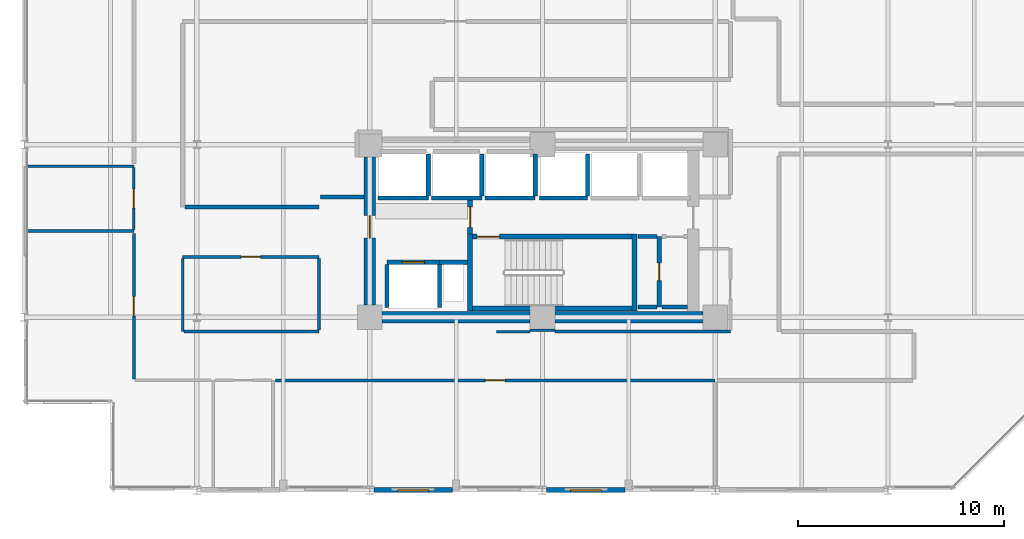
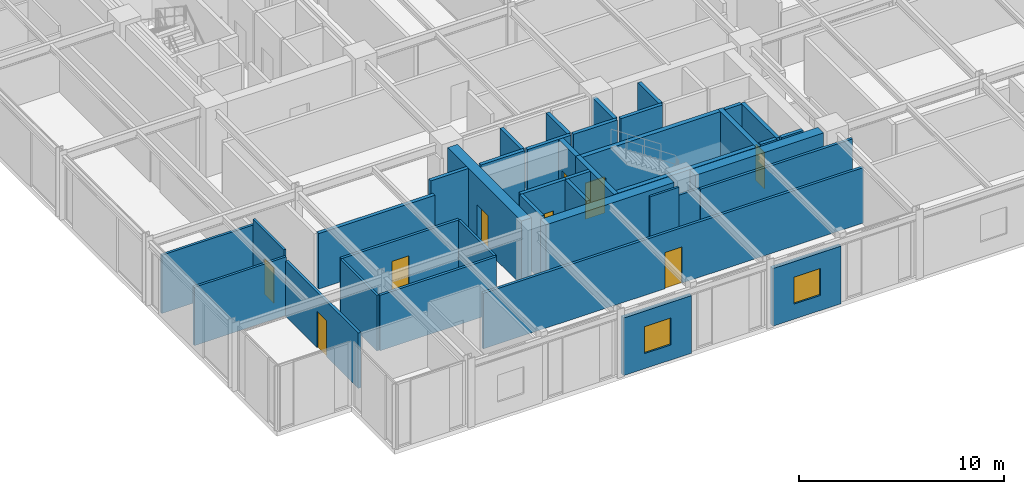
# One storey, part 32 of 38: 40 walls, 9 doors, 2 windows, 11 openings.
"""IFC4 building model written with IfcOpenShell, lengths in metres."""

from ifc_helpers import new_model, si_unit, direction, frame, frame_2d, origin, place, context, subcontext, project, spatial, rectangle, extrude, material, layer, layer_set, type_object, element, fill, save


model = new_model("IFC4")

# Units and contexts
model_context = context("Model", 3, precision=1e-05, world=origin(), true_north=direction((0.0, 1.0)))
body_context = subcontext(model_context, "Body", "Model", "MODEL_VIEW")
ifc_project = project(units=[si_unit("LENGTHUNIT", "METRE"), si_unit("AREAUNIT", "SQUARE_METRE"), si_unit("VOLUMEUNIT", "CUBIC_METRE"), si_unit("PLANEANGLEUNIT", "RADIAN"), si_unit("MASSUNIT", "GRAM", prefix="KILO")], contexts=[model_context])

# Site, building, storey
site_placement = place(None, origin())
site = spatial("IfcSite", under=ifc_project, at=site_placement, CompositionType="ELEMENT")
building_placement = place(site_placement, origin())
building = spatial("IfcBuilding", under=site, at=building_placement, Name="Nerrivon Quay Data Exchange", CompositionType="ELEMENT")
storey_placement = place(building_placement, frame((0.0, 0.0, 100.800048828125)))
storey = spatial("IfcBuildingStorey", under=building, at=storey_placement, Name="L23", CompositionType="ELEMENT", Elevation=100.800048828125)

# Wall, opening, window
ifc_material_1 = material(Name="Architectural terracotta precast concrete N50 (50 MPa)", Category="masonry")
ifc_layer_1 = layer(ifc_material_1, 0.239990234375)
ifc_layer_set_1 = layer_set([ifc_layer_1], Name="Architectural terracotta precast concrete N50 (50 MPa)")
wall_type_1 = type_object("IfcWallType", Name="EW-PREC-240", PredefinedType="STANDARD", material=ifc_layer_set_1)
wall_1_placement = place(storey_placement, frame((29.22509765625, 0.0, 0.0), z_axis=(0.0, 0.0, 1.0), x_axis=(-1.0, 0.0, 0.0)))
wall_1 = element("IfcWall", 1, at=wall_1_placement, inside=storey, type_object=wall_type_1, Name="L23 Podium Precast Spandrel Wall 9", PredefinedType="STANDARD", context=body_context, shape_type="SweptSolid", body=[
    extrude(rectangle(XDim=3.8251953125, YDim=0.239990234375, at=frame_2d((1.91259765625, 0.0))), origin(), (0.0, 0.0, 1.0), 3.421875),
])
opening_1_placement = place(wall_1_placement, frame((1.16259765625, 0.0, 0.89990234375)))
opening_1 = element("IfcOpeningElement", 2, at=opening_1_placement, cuts=wall_1, Name="Opening WN4", PredefinedType="OPENING", context=body_context, shape_type="SweptSolid", body=[
    extrude(rectangle(XDim=1.5, YDim=1.60009765625, at=frame_2d((0.75, 0.800048828125))), frame((0.0, 0.1298828125, 0.0), z_axis=(0.0, -1.0, 0.0), x_axis=(1.0, 0.0, 0.0)), (0.0, 0.0, 1.0), 0.260009765625),
])
ifc_material_2 = material(Name="Double-glazed low-E solar control glass", Category="glass")
window_type = type_object("IfcWindowType", Name="WIN-W4-1500x1600", PartitioningType="SINGLE_PANEL", PredefinedType="WINDOW", material=ifc_material_2)
window_1_placement = place(opening_1_placement, origin())
window_1 = element("IfcWindow", 3, at=window_1_placement, inside=storey, type_object=window_type, Name="L23 Solar Facade Window 9", OverallHeight=1.60009765625, OverallWidth=1.5, PartitioningType="SINGLE_PANEL", PredefinedType="WINDOW", context=body_context, shape_type="SweptSolid", body=[
    extrude(rectangle(XDim=1.5, YDim=1.60009765625, at=frame_2d((0.75, 0.800048828125))), frame((0.0, 0.030029296875, 0.0), z_axis=(0.0, -1.0, 0.0), x_axis=(1.0, 0.0, 0.0)), (0.0, 0.0, 1.0), 0.06005859375),
])
fill(opening_1, window_1)

wall_2_placement = place(storey_placement, frame((20.824951171875, 0.0, 0.0), z_axis=(0.0, 0.0, 1.0), x_axis=(-1.0, 0.0, 0.0)))
wall_2 = element("IfcWall", 4, at=wall_2_placement, inside=storey, type_object=wall_type_1, Name="L23 Podium Precast Spandrel Wall 11", PredefinedType="STANDARD", context=body_context, shape_type="SweptSolid", body=[
    extrude(rectangle(XDim=3.824951171875, YDim=0.239990234375, at=frame_2d((1.91259765625, 0.0))), origin(), (0.0, 0.0, 1.0), 3.421875),
])
opening_2_placement = place(wall_2_placement, frame((1.16259765625, 0.0, 0.89990234375)))
opening_2 = element("IfcOpeningElement", 5, at=opening_2_placement, cuts=wall_2, Name="Opening WN4", PredefinedType="OPENING", context=body_context, shape_type="SweptSolid", body=[
    extrude(rectangle(XDim=1.5, YDim=1.60009765625, at=frame_2d((0.75, 0.800048828125))), frame((0.0, 0.1298828125, 0.0), z_axis=(0.0, -1.0, 0.0), x_axis=(1.0, 0.0, 0.0)), (0.0, 0.0, 1.0), 0.260009765625),
])
window_2_placement = place(opening_2_placement, origin())
window_2 = element("IfcWindow", 6, at=window_2_placement, inside=storey, type_object=window_type, Name="L23 Solar Facade Window 11", OverallHeight=1.60009765625, OverallWidth=1.5, PartitioningType="SINGLE_PANEL", PredefinedType="WINDOW", context=body_context, shape_type="SweptSolid", body=[
    extrude(rectangle(XDim=1.5, YDim=1.60009765625, at=frame_2d((0.75, 0.800048828125))), frame((0.0, 0.030029296875, 0.0), z_axis=(0.0, -1.0, 0.0), x_axis=(1.0, 0.0, 0.0)), (0.0, 0.0, 1.0), 0.06005859375),
])
fill(opening_2, window_2)

# Walls
ifc_material_3 = material(Name="Concrete S65 (65 MPa)", Category="concrete")
ifc_layer_2 = layer(ifc_material_3, 0.550048828125)
ifc_layer_set_2 = layer_set([ifc_layer_2], Name="Concrete S65 (65 MPa)")
wall_type_2 = type_object("IfcWallType", Name="WALL-CW-700", PredefinedType="SHEAR", material=ifc_layer_set_2)
wall_3_placement = place(storey_placement, frame((17.39990234375, 8.39990234375, 0.0), z_axis=(0.0, 0.0, 1.0), x_axis=(1.0, 0.0, 0.0)))
element("IfcWall", 7, at=wall_3_placement, inside=storey, type_object=wall_type_2, Name="L23 East Split-Core Shear Wall ECW-S1", PredefinedType="SHEAR", context=body_context, shape_type="SweptSolid", body=[
    extrude(rectangle(XDim=7.2001953125, YDim=0.550048828125, at=frame_2d((3.60009765625, 0.0))), origin(), (0.0, 0.0, 1.0), 3.824951171875),
])
wall_4_placement = place(storey_placement, frame((25.800048828125, 8.39990234375, 0.0), z_axis=(0.0, 0.0, 1.0), x_axis=(1.0, 0.0, 0.0)))
element("IfcWall", 8, at=wall_4_placement, inside=storey, type_object=wall_type_2, Name="L23 East Split-Core Shear Wall ECW-S2", PredefinedType="SHEAR", context=body_context, shape_type="SweptSolid", body=[
    extrude(rectangle(XDim=7.199951171875, YDim=0.550048828125, at=frame_2d((3.60009765625, 0.0))), origin(), (0.0, 0.0, 1.0), 3.824951171875),
])

# Wall, opening, door
wall_5_placement = place(storey_placement, frame((16.800048828125, 9.0, 0.0), z_axis=(0.0, 0.0, 1.0), x_axis=(0.0, 1.0, 0.0)))
wall_5 = element("IfcWall", 9, at=wall_5_placement, inside=storey, type_object=wall_type_2, Name="L23 East Split-Core Shear Wall ECW-W1", PredefinedType="SHEAR", context=body_context, shape_type="SweptSolid", body=[
    extrude(rectangle(XDim=7.199951171875, YDim=0.550048828125, at=frame_2d((3.60009765625, 0.0))), origin(), (0.0, 0.0, 1.0), 3.824951171875),
])
opening_3_placement = place(wall_5_placement, frame((3.25, 0.0, 0.0)))
opening_3 = element("IfcOpeningElement", 10, at=opening_3_placement, cuts=wall_5, Name="Opening FD-120", PredefinedType="OPENING", context=body_context, shape_type="SweptSolid", body=[
    extrude(rectangle(XDim=1.10009765625, YDim=2.14990234375, at=frame_2d((0.550048828125, 1.074951171875))), frame((0.0, 0.284912109375, 0.0), z_axis=(0.0, -1.0, 0.0), x_axis=(1.0, 0.0, 0.0)), (0.0, 0.0, 1.0), 0.570068359375),
])
ifc_material_4 = material(Name="Powder-coated galvanized steel sheet", Category="steel")
door_type_1 = type_object("IfcDoorType", Name="DR-FD120-1100", OperationType="NOTDEFINED", PredefinedType="DOOR", material=ifc_material_4)
door_1_placement = place(opening_3_placement, origin())
door_1 = element("IfcDoor", 11, at=door_1_placement, inside=storey, type_object=door_type_1, Name="L23 East Core Lobby Fire Door", OperationType="SINGLE_SWING_RIGHT", OverallHeight=2.14990234375, OverallWidth=1.10009765625, PredefinedType="DOOR", context=body_context, shape_type="SweptSolid", body=[
    extrude(rectangle(XDim=1.10009765625, YDim=2.14990234375, at=frame_2d((0.550048828125, 1.074951171875))), frame((0.0, 0.02490234375, 0.0), z_axis=(0.0, -1.0, 0.0), x_axis=(1.0, 0.0, 0.0)), (0.0, 0.0, 1.0), 0.050048828125),
])
fill(opening_3, door_1)

# Wall
ifc_material_5 = material(Name="Gypsum plasterboard on cold-formed framing", Category="gypsum")
ifc_layer_3 = layer(ifc_material_5, 0.199951171875)
ifc_layer_set_3 = layer_set([ifc_layer_3], Name="Gypsum plasterboard on cold-formed framing")
wall_type_3 = type_object("IfcWallType", Name="WALL-FW-200", PredefinedType="PARTITIONING", material=ifc_layer_set_3)
wall_6_placement = place(storey_placement, frame((20.199951171875, 11.080078125, 0.0), z_axis=(0.0, 0.0, 1.0), x_axis=(1.0, 0.0, 0.0)))
element("IfcWall", 12, at=wall_6_placement, inside=storey, type_object=wall_type_3, Name="L23 East Core MEP Riser Shaft Wall N", PredefinedType="PARTITIONING", context=body_context, shape_type="SweptSolid", body=[
    extrude(rectangle(XDim=1.35009765625, YDim=0.199951171875, at=frame_2d((0.675048828125, 0.0))), origin(), (0.0, 0.0, 1.0), 3.824951171875),
])

# Wall, opening, door
wall_7_placement = place(storey_placement, frame((17.64990234375, 11.080078125, 0.0), z_axis=(0.0, 0.0, 1.0), x_axis=(1.0, 0.0, 0.0)))
wall_7 = element("IfcWall", 13, at=wall_7_placement, inside=storey, type_object=wall_type_3, Name="L23 Lift Front Wall FFL-2", PredefinedType="PARTITIONING", context=body_context, shape_type="SweptSolid", body=[
    extrude(rectangle(XDim=2.550048828125, YDim=0.199951171875, at=frame_2d((1.27490234375, 0.0))), origin(), (0.0, 0.0, 1.0), 3.824951171875),
])
opening_4_placement = place(wall_7_placement, frame((0.72509765625, 0.0, 0.0)))
opening_4 = element("IfcOpeningElement", 14, at=opening_4_placement, cuts=wall_7, Name="Opening LD-120", PredefinedType="OPENING", context=body_context, shape_type="SweptSolid", body=[
    extrude(rectangle(XDim=1.10009765625, YDim=2.199951171875, at=frame_2d((0.550048828125, 1.10009765625))), frame((0.0, 0.10986328125, 0.0), z_axis=(0.0, -1.0, 0.0), x_axis=(1.0, 0.0, 0.0)), (0.0, 0.0, 1.0), 0.219970703125),
])
door_type_2 = type_object("IfcDoorType", Name="DR-LIFT-LD120", OperationType="DOUBLE_DOOR_SLIDING", PredefinedType="DOOR", material=ifc_material_4)
door_2_placement = place(opening_4_placement, origin())
door_2 = element("IfcDoor", 15, at=door_2_placement, inside=storey, type_object=door_type_2, Name="L23 Lift Landing Sliding Door FFL-2", OperationType="DOUBLE_DOOR_SLIDING", OverallHeight=2.199951171875, OverallWidth=1.10009765625, PredefinedType="DOOR", context=body_context, shape_type="SweptSolid", body=[
    extrude(rectangle(XDim=1.10009765625, YDim=2.199951171875, at=frame_2d((0.550048828125, 1.10009765625))), frame((0.0, 0.02490234375, 0.0), z_axis=(0.0, -1.0, 0.0), x_axis=(1.0, 0.0, 0.0)), (0.0, 0.0, 1.0), 0.050048828125),
])
fill(opening_4, door_2)

# Walls
for number, where, z_axis, x_axis, name in (
    (16, (20.199951171875, 8.8798828125, 0.0), (0.0, 0.0, 1.0), (0.0, 1.0, 0.0), "L23 Lift Shaft Wall FFL-2 EAST"),
    (17, (17.64990234375, 8.8798828125, 0.0), (0.0, 0.0, 1.0), (0.0, 1.0, 0.0), "L23 Lift Shaft Wall FFL-2 WEST"),
):
    element("IfcWall", number, at=place(storey_placement, frame(where, z_axis=z_axis, x_axis=x_axis)), inside=storey, type_object=wall_type_3, Name=name, PredefinedType="PARTITIONING", context=body_context, shape_type="SweptSolid", body=[
        extrude(rectangle(XDim=2.10009765625, YDim=0.199951171875, at=frame_2d((1.050048828125, 0.0))), origin(), (0.0, 0.0, 1.0), 3.824951171875),
    ])
wall_8_placement = place(storey_placement, frame((17.199951171875, 14.199951171875, 0.0), z_axis=(0.0, 0.0, 1.0), x_axis=(1.0, 0.0, 0.0)))
element("IfcWall", 18, at=wall_8_placement, inside=storey, type_object=wall_type_3, Name="L23 Lift Front Wall PL4", PredefinedType="PARTITIONING", context=body_context, shape_type="SweptSolid", body=[
    extrude(rectangle(XDim=2.449951171875, YDim=0.199951171875, at=frame_2d((1.22509765625, 0.0))), origin(), (0.0, 0.0, 1.0), 3.824951171875),
])
wall_9_placement = place(storey_placement, frame((19.64990234375, 14.300048828125, 0.0), z_axis=(0.0, 0.0, 1.0), x_axis=(0.0, 1.0, 0.0)))
element("IfcWall", 19, at=wall_9_placement, inside=storey, type_object=wall_type_3, Name="L23 Lift Shaft Wall PL4 EAST", PredefinedType="PARTITIONING", context=body_context, shape_type="SweptSolid", body=[
    extrude(rectangle(XDim=2.050048828125, YDim=0.199951171875, at=frame_2d((1.02490234375, 0.0))), origin(), (0.0, 0.0, 1.0), 3.824951171875),
])
wall_10_placement = place(storey_placement, frame((19.800048828125, 14.199951171875, 0.0), z_axis=(0.0, 0.0, 1.0), x_axis=(1.0, 0.0, 0.0)))
element("IfcWall", 20, at=wall_10_placement, inside=storey, type_object=wall_type_3, Name="L23 Lift Front Wall PL5", PredefinedType="PARTITIONING", context=body_context, shape_type="SweptSolid", body=[
    extrude(rectangle(XDim=2.449951171875, YDim=0.199951171875, at=frame_2d((1.22509765625, 0.0))), origin(), (0.0, 0.0, 1.0), 3.824951171875),
])
wall_11_placement = place(storey_placement, frame((22.25, 14.300048828125, 0.0), z_axis=(0.0, 0.0, 1.0), x_axis=(0.0, 1.0, 0.0)))
element("IfcWall", 21, at=wall_11_placement, inside=storey, type_object=wall_type_3, Name="L23 Lift Shaft Wall PL5 EAST", PredefinedType="PARTITIONING", context=body_context, shape_type="SweptSolid", body=[
    extrude(rectangle(XDim=2.050048828125, YDim=0.199951171875, at=frame_2d((1.02490234375, 0.0))), origin(), (0.0, 0.0, 1.0), 3.824951171875),
])
wall_12_placement = place(storey_placement, frame((22.39990234375, 14.199951171875, 0.0), z_axis=(0.0, 0.0, 1.0), x_axis=(1.0, 0.0, 0.0)))
element("IfcWall", 22, at=wall_12_placement, inside=storey, type_object=wall_type_3, Name="L23 Lift Front Wall PL6", PredefinedType="PARTITIONING", context=body_context, shape_type="SweptSolid", body=[
    extrude(rectangle(XDim=2.4501953125, YDim=0.199951171875, at=frame_2d((1.22509765625, 0.0))), origin(), (0.0, 0.0, 1.0), 3.824951171875),
])
wall_13_placement = place(storey_placement, frame((24.85009765625, 14.300048828125, 0.0), z_axis=(0.0, 0.0, 1.0), x_axis=(0.0, 1.0, 0.0)))
element("IfcWall", 23, at=wall_13_placement, inside=storey, type_object=wall_type_3, Name="L23 Lift Shaft Wall PL6 EAST", PredefinedType="PARTITIONING", context=body_context, shape_type="SweptSolid", body=[
    extrude(rectangle(XDim=2.050048828125, YDim=0.199951171875, at=frame_2d((1.02490234375, 0.0))), origin(), (0.0, 0.0, 1.0), 3.824951171875),
])
wall_14_placement = place(storey_placement, frame((25.050048828125, 14.199951171875, 0.0), z_axis=(0.0, 0.0, 1.0), x_axis=(1.0, 0.0, 0.0)))
element("IfcWall", 24, at=wall_14_placement, inside=storey, type_object=wall_type_3, Name="L23 Lift Front Wall PL7", PredefinedType="PARTITIONING", context=body_context, shape_type="SweptSolid", body=[
    extrude(rectangle(XDim=2.349853515625, YDim=0.199951171875, at=frame_2d((1.1748046875, 0.0))), origin(), (0.0, 0.0, 1.0), 3.824951171875),
])
wall_15_placement = place(storey_placement, frame((27.39990234375, 14.300048828125, 0.0), z_axis=(0.0, 0.0, 1.0), x_axis=(0.0, 1.0, 0.0)))
element("IfcWall", 25, at=wall_15_placement, inside=storey, type_object=wall_type_3, Name="L23 Lift Shaft Wall PL7 EAST", PredefinedType="PARTITIONING", context=body_context, shape_type="SweptSolid", body=[
    extrude(rectangle(XDim=2.050048828125, YDim=0.199951171875, at=frame_2d((1.02490234375, 0.0))), origin(), (0.0, 0.0, 1.0), 3.824951171875),
])

# Wall, opening, door
wall_16_placement = place(storey_placement, frame((30.8798828125, 8.89990234375, 0.0), z_axis=(0.0, 0.0, 1.0), x_axis=(0.0, 1.0, 0.0)))
wall_16 = element("IfcWall", 26, at=wall_16_placement, inside=storey, type_object=wall_type_3, Name="L23 Partition East Electrical Closet", PredefinedType="PARTITIONING", context=body_context, shape_type="SweptSolid", body=[
    extrude(rectangle(XDim=3.43017578125, YDim=0.199951171875, at=frame_2d((1.715087890625, 0.0))), origin(), (0.0, 0.0, 1.0), 3.824951171875),
])
opening_5_placement = place(wall_16_placement, frame((1.2900390625, 0.0, 0.0)))
opening_5 = element("IfcOpeningElement", 27, at=opening_5_placement, cuts=wall_16, Name="Opening FD-60S", PredefinedType="OPENING", context=body_context, shape_type="SweptSolid", body=[
    extrude(rectangle(XDim=0.85009765625, YDim=2.14990234375, at=frame_2d((0.425048828125, 1.074951171875))), frame((0.0, 0.10986328125, 0.0), z_axis=(0.0, -1.0, 0.0), x_axis=(1.0, 0.0, 0.0)), (0.0, 0.0, 1.0), 0.219970703125),
])
ifc_material_6 = material(Name="Engineered hardwood timber", Category="wood")
door_type_3 = type_object("IfcDoorType", Name="DR-FD60-850", OperationType="NOTDEFINED", PredefinedType="DOOR", material=ifc_material_6)
door_3_placement = place(opening_5_placement, origin())
door_3 = element("IfcDoor", 28, at=door_3_placement, inside=storey, type_object=door_type_3, Name="L23 Door East Electrical Closet", OperationType="SINGLE_SWING_LEFT", OverallHeight=2.14990234375, OverallWidth=0.85009765625, PredefinedType="DOOR", context=body_context, shape_type="SweptSolid", body=[
    extrude(rectangle(XDim=0.85009765625, YDim=2.14990234375, at=frame_2d((0.425048828125, 1.074951171875))), frame((0.0, 0.02490234375, 0.0), z_axis=(0.0, -1.0, 0.0), x_axis=(1.0, 0.0, 0.0)), (0.0, 0.0, 1.0), 0.050048828125),
])
fill(opening_5, door_3)

# Walls
for number, where, z_axis, x_axis, name in (
    (29, (30.77587890625, 12.330078125, 0.0), (0.0, 0.0, 1.0), (-1.0, 0.0, 0.0), "L23 Partition East Electrical Closet"),
    (30, (29.85009765625, 8.89990234375, 0.0), (0.0, 0.0, 1.0), (1.0, 0.0, 0.0), "L23 Partition East Electrical Closet"),
):
    element("IfcWall", number, at=place(storey_placement, frame(where, z_axis=z_axis, x_axis=x_axis)), inside=storey, type_object=wall_type_3, Name=name, PredefinedType="PARTITIONING", context=body_context, shape_type="SweptSolid", body=[
        extrude(rectangle(XDim=0.92578125, YDim=0.199951171875, at=frame_2d((0.462890625, 0.0))), origin(), (0.0, 0.0, 1.0), 3.824951171875),
    ])
wall_17_placement = place(storey_placement, frame((31.02001953125, 8.89990234375, 0.0), z_axis=(0.0, 0.0, 1.0), x_axis=(1.0, 0.0, 0.0)))
element("IfcWall", 31, at=wall_17_placement, inside=storey, type_object=wall_type_3, Name="L23 Partition East Cleaners Store", PredefinedType="PARTITIONING", context=body_context, shape_type="SweptSolid", body=[
    extrude(rectangle(XDim=1.22607421875, YDim=0.199951171875, at=frame_2d((0.613037109375, 0.0))), origin(), (0.0, 0.0, 1.0), 3.824951171875),
])
wall_18_placement = place(storey_placement, frame((7.81396484375, 13.760009765625, 0.0), z_axis=(0.0, 0.0, 1.0), x_axis=(1.0, 0.0, 0.0)))
element("IfcWall", 32, at=wall_18_placement, inside=storey, type_object=wall_type_3, Name="L23 Partition Colocation Data Workspace 6", PredefinedType="PARTITIONING", context=body_context, shape_type="SweptSolid", body=[
    extrude(rectangle(XDim=6.526123046875, YDim=0.199951171875, at=frame_2d((3.26318359375, 0.0))), origin(), (0.0, 0.0, 1.0), 3.296875),
])
wall_19_placement = place(storey_placement, frame((14.39990234375, 14.260009765625, 0.0), z_axis=(0.0, 0.0, 1.0), x_axis=(1.0, 0.0, 0.0)))
element("IfcWall", 33, at=wall_19_placement, inside=storey, type_object=wall_type_3, Name="L23 Partition Colocation Data Workspace 6", PredefinedType="PARTITIONING", context=body_context, shape_type="SweptSolid", body=[
    extrude(rectangle(XDim=2.12109375, YDim=0.199951171875, at=frame_2d((1.060546875, 0.0))), origin(), (0.0, 0.0, 1.0), 3.824951171875),
])

# Wall, opening, door
ifc_layer_4 = layer(ifc_material_5, 0.1201171875)
ifc_layer_set_4 = layer_set([ifc_layer_4], Name="Gypsum plasterboard on cold-formed framing")
wall_type_4 = type_object("IfcWallType", Name="WALL-PT-120", PredefinedType="PARTITIONING", material=ifc_layer_set_4)
wall_20_placement = place(storey_placement, frame((5.340087890625, 12.67138671875, 0.0), z_axis=(0.0, 0.0, 1.0), x_axis=(0.0, 1.0, 0.0)))
wall_20 = element("IfcWall", 34, at=wall_20_placement, inside=storey, type_object=wall_type_4, Name="L23 Partition Accessible Toilet", PredefinedType="PARTITIONING", context=body_context, shape_type="SweptSolid", body=[
    extrude(rectangle(XDim=3.007080078125, YDim=0.1201171875, at=frame_2d((1.50341796875, 0.0))), origin(), (0.0, 0.0, 1.0), 3.824951171875),
])
opening_6_placement = place(wall_20_placement, frame((1.04345703125, 0.0, 0.0)))
opening_6 = element("IfcOpeningElement", 35, at=opening_6_placement, cuts=wall_20, Name="Opening D-WC", PredefinedType="OPENING", context=body_context, shape_type="SweptSolid", body=[
    extrude(rectangle(XDim=0.919921875, YDim=2.10009765625, at=frame_2d((0.4599609375, 1.050048828125))), frame((0.0, 0.070068359375, 0.0), z_axis=(0.0, -1.0, 0.0), x_axis=(1.0, 0.0, 0.0)), (0.0, 0.0, 1.0), 0.14013671875),
])
door_type_4 = type_object("IfcDoorType", Name="DR-WC-920", OperationType="NOTDEFINED", PredefinedType="DOOR", material=ifc_material_6)
door_4_placement = place(opening_6_placement, origin())
door_4 = element("IfcDoor", 36, at=door_4_placement, inside=storey, type_object=door_type_4, Name="L23 Door Accessible Toilet", OperationType="SINGLE_SWING_LEFT", OverallHeight=2.10009765625, OverallWidth=0.919921875, PredefinedType="DOOR", context=body_context, shape_type="SweptSolid", body=[
    extrude(rectangle(XDim=0.919921875, YDim=2.10009765625, at=frame_2d((0.4599609375, 1.050048828125))), frame((0.0, 0.02490234375, 0.0), z_axis=(0.0, -1.0, 0.0), x_axis=(1.0, 0.0, 0.0)), (0.0, 0.0, 1.0), 0.050048828125),
])
fill(opening_6, door_4)

# Walls
wall_21_placement = place(storey_placement, frame((25.805908203125, 7.781005859375, 0.0), z_axis=(0.0, 0.0, 1.0), x_axis=(-0.999999672047, -0.000809880277, 0.0)))
element("IfcWall", 37, at=wall_21_placement, inside=storey, type_object=wall_type_4, Name="L23 Partition Staff Pantry", PredefinedType="PARTITIONING", context=body_context, shape_type="SweptSolid", body=[
    extrude(rectangle(XDim=1.205810546875, YDim=0.1201171875, at=frame_2d((0.60302734375, 0.0))), origin(), (0.0, 0.0, 1.0), 3.296875),
])
wall_22_placement = place(storey_placement, frame((22.97802734375, 7.7099609375, 0.0), z_axis=(0.0, 0.0, 1.0), x_axis=(1.0, 0.0, 0.0)))
element("IfcWall", 38, at=wall_22_placement, inside=storey, type_object=wall_type_4, Name="L23 Partition Staff Pantry", PredefinedType="PARTITIONING", context=body_context, shape_type="SweptSolid", body=[
    extrude(rectangle(XDim=1.6220703125, YDim=0.1201171875, at=frame_2d((0.81103515625, 0.0))), origin(), (0.0, 0.0, 1.0), 3.824951171875),
])
ifc_layer_5 = layer(ifc_material_5, 0.135009765625)
ifc_layer_set_5 = layer_set([ifc_layer_5], Name="Gypsum plasterboard on cold-formed framing")
wall_type_5 = type_object("IfcWallType", Name="WALL-PT-135", PredefinedType="PARTITIONING", material=ifc_layer_set_5)
for number, where, z_axis, x_axis, name in (
    (39, (5.340087890625, 15.75, 0.0), (0.0, 0.0, 1.0), (-1.0, 0.0, 0.0), "L23 Partition Accessible Toilet"),
    (40, (0.1689453125, 12.60009765625, 0.0), (0.0, 0.0, 1.0), (1.0, 0.0, 0.0), "L23 Partition Accessible Toilet"),
):
    element("IfcWall", number, at=place(storey_placement, frame(where, z_axis=z_axis, x_axis=x_axis)), inside=storey, type_object=wall_type_5, Name=name, PredefinedType="PARTITIONING", context=body_context, shape_type="SweptSolid", body=[
        extrude(rectangle(XDim=5.171142578125, YDim=0.135009765625, at=frame_2d((2.58544921875, 0.0))), origin(), (0.0, 0.0, 1.0), 3.468994140625),
    ])
wall_23_placement = place(storey_placement, frame((7.7099609375, 11.260986328125, 0.0), z_axis=(0.0, 0.0, 1.0), x_axis=(0.0, -1.0, 0.0)))
element("IfcWall", 41, at=wall_23_placement, inside=storey, type_object=wall_type_5, Name="L23 Partition Technical Library", PredefinedType="PARTITIONING", context=body_context, shape_type="SweptSolid", body=[
    extrude(rectangle(XDim=3.551025390625, YDim=0.135009765625, at=frame_2d((1.775390625, 0.0))), origin(), (0.0, 0.0, 1.0), 3.2919921875),
])
wall_24_placement = place(storey_placement, frame((14.340087890625, 7.7890625, 0.0), z_axis=(0.0, 0.0, 1.0), x_axis=(0.0, 1.0, 0.0)))
element("IfcWall", 42, at=wall_24_placement, inside=storey, type_object=wall_type_5, Name="L23 Partition Technical Library", PredefinedType="PARTITIONING", context=body_context, shape_type="SweptSolid", body=[
    extrude(rectangle(XDim=3.471923828125, YDim=0.135009765625, at=frame_2d((1.73583984375, 0.0))), origin(), (0.0, 0.0, 1.0), 3.2919921875),
])
ifc_layer_6 = layer(ifc_material_5, 0.14990234375)
ifc_layer_set_6 = layer_set([ifc_layer_6], Name="Gypsum plasterboard on cold-formed framing")
wall_type_6 = type_object("IfcWallType", Name="WALL-PT-150", PredefinedType="PARTITIONING", material=ifc_layer_set_6)
wall_25_placement = place(storey_placement, frame((25.805908203125, 7.7099609375, 0.0), z_axis=(0.0, 0.0, 1.0), x_axis=(1.0, 0.0, 0.0)))
element("IfcWall", 43, at=wall_25_placement, inside=storey, type_object=wall_type_6, Name="L23 Partition Staff Pantry", PredefinedType="PARTITIONING", context=body_context, shape_type="SweptSolid", body=[
    extrude(rectangle(XDim=8.5341796875, YDim=0.14990234375, at=frame_2d((4.26708984375, 0.0))), origin(), (0.0, 0.0, 1.0), 3.296875),
])

# Wall, opening, door
wall_26_placement = place(storey_placement, frame((14.340087890625, 11.340087890625, 0.0), z_axis=(0.0, 0.0, 1.0), x_axis=(-1.0, 0.0, 0.0)))
wall_26 = element("IfcWall", 44, at=wall_26_placement, inside=storey, type_object=wall_type_6, Name="L23 Partition Technical Library", PredefinedType="PARTITIONING", context=body_context, shape_type="SweptSolid", body=[
    extrude(rectangle(XDim=6.630126953125, YDim=0.14990234375, at=frame_2d((3.31494140625, 0.0))), origin(), (0.0, 0.0, 1.0), 3.296875),
])
opening_7_placement = place(wall_26_placement, frame((2.840087890625, 0.0, 0.0)))
opening_7 = element("IfcOpeningElement", 45, at=opening_7_placement, cuts=wall_26, Name="Opening D-01", PredefinedType="OPENING", context=body_context, shape_type="SweptSolid", body=[
    extrude(rectangle(XDim=0.949951171875, YDim=2.14990234375, at=frame_2d((0.47509765625, 1.074951171875))), frame((0.0, 0.0849609375, 0.0), z_axis=(0.0, -1.0, 0.0), x_axis=(1.0, 0.0, 0.0)), (0.0, 0.0, 1.0), 0.169921875),
])
door_type_5 = type_object("IfcDoorType", Name="DR-INT-950", OperationType="NOTDEFINED", PredefinedType="DOOR", material=ifc_material_6)
door_5_placement = place(opening_7_placement, origin())
door_5 = element("IfcDoor", 46, at=door_5_placement, inside=storey, type_object=door_type_5, Name="L23 Door Technical Library", OperationType="SINGLE_SWING_RIGHT", OverallHeight=2.14990234375, OverallWidth=0.949951171875, PredefinedType="DOOR", context=body_context, shape_type="SweptSolid", body=[
    extrude(rectangle(XDim=0.949951171875, YDim=2.14990234375, at=frame_2d((0.47509765625, 1.074951171875))), frame((0.0, 0.02490234375, 0.0), z_axis=(0.0, -1.0, 0.0), x_axis=(1.0, 0.0, 0.0)), (0.0, 0.0, 1.0), 0.050048828125),
])
fill(opening_7, door_5)

# Wall
wall_27_placement = place(storey_placement, frame((7.781494140625, 7.7099609375, 0.0), z_axis=(0.0, 0.0, 1.0), x_axis=(1.0, 0.0, 0.0)))
element("IfcWall", 47, at=wall_27_placement, inside=storey, type_object=wall_type_6, Name="L23 Partition Technical Library", PredefinedType="PARTITIONING", context=body_context, shape_type="SweptSolid", body=[
    extrude(rectangle(XDim=6.55859375, YDim=0.14990234375, at=frame_2d((3.279296875, 0.0))), origin(), (0.0, 0.0, 1.0), 3.296875),
])

# Wall, opening, door
wall_28_placement = place(storey_placement, frame((5.340087890625, 5.39990234375, 0.0), z_axis=(0.0, 0.0, 1.0), x_axis=(0.0, 1.0, 0.0)))
wall_28 = element("IfcWall", 48, at=wall_28_placement, inside=storey, type_object=wall_type_6, Name="L23 Partition Cloud Compute Workspace 1", PredefinedType="PARTITIONING", context=body_context, shape_type="SweptSolid", body=[
    extrude(rectangle(XDim=7.080078125, YDim=0.14990234375, at=frame_2d((3.5400390625, 0.0))), origin(), (0.0, 0.0, 1.0), 3.2919921875),
])
opening_8_placement = place(wall_28_placement, frame((3.06494140625, 0.0, 0.0)))
opening_8 = element("IfcOpeningElement", 49, at=opening_8_placement, cuts=wall_28, Name="Opening D-01", PredefinedType="OPENING", context=body_context, shape_type="SweptSolid", body=[
    extrude(rectangle(XDim=0.949951171875, YDim=2.14990234375, at=frame_2d((0.47509765625, 1.074951171875))), frame((0.0, 0.0849609375, 0.0), z_axis=(0.0, -1.0, 0.0), x_axis=(1.0, 0.0, 0.0)), (0.0, 0.0, 1.0), 0.169921875),
])
door_6_placement = place(opening_8_placement, origin())
door_6 = element("IfcDoor", 50, at=door_6_placement, inside=storey, type_object=door_type_5, Name="L23 Door Cloud Compute Workspace 1", OperationType="SINGLE_SWING_LEFT", OverallHeight=2.14990234375, OverallWidth=0.949951171875, PredefinedType="DOOR", context=body_context, shape_type="SweptSolid", body=[
    extrude(rectangle(XDim=0.949951171875, YDim=2.14990234375, at=frame_2d((0.47509765625, 1.074951171875))), frame((0.0, 0.02490234375, 0.0), z_axis=(0.0, -1.0, 0.0), x_axis=(1.0, 0.0, 0.0)), (0.0, 0.0, 1.0), 0.050048828125),
])
fill(opening_8, door_6)

wall_29_placement = place(storey_placement, frame((33.586669921875, 5.340087890625, 0.0), z_axis=(0.0, 0.0, 1.0), x_axis=(-1.0, 0.0, 0.0)))
wall_29 = element("IfcWall", 51, at=wall_29_placement, inside=storey, type_object=wall_type_6, Name="L23 Partition Optical Engineering Studios Workspace", PredefinedType="PARTITIONING", context=body_context, shape_type="SweptSolid", body=[
    extrude(rectangle(XDim=21.36669921875, YDim=0.14990234375, at=frame_2d((10.683349609375, 0.0))), origin(), (0.0, 0.0, 1.0), 3.296875),
])
opening_9_placement = place(wall_29_placement, frame((10.208251953125, 0.0, 0.0)))
opening_9 = element("IfcOpeningElement", 52, at=opening_9_placement, cuts=wall_29, Name="Opening D-01", PredefinedType="OPENING", context=body_context, shape_type="SweptSolid", body=[
    extrude(rectangle(XDim=0.949951171875, YDim=2.14990234375, at=frame_2d((0.47509765625, 1.074951171875))), frame((0.0, 0.0849609375, 0.0), z_axis=(0.0, -1.0, 0.0), x_axis=(1.0, 0.0, 0.0)), (0.0, 0.0, 1.0), 0.169921875),
])
door_7_placement = place(opening_9_placement, origin())
door_7 = element("IfcDoor", 53, at=door_7_placement, inside=storey, type_object=door_type_5, Name="L23 Door Optical Engineering Studios Workspace", OperationType="SINGLE_SWING_LEFT", OverallHeight=2.14990234375, OverallWidth=0.949951171875, PredefinedType="DOOR", context=body_context, shape_type="SweptSolid", body=[
    extrude(rectangle(XDim=0.949951171875, YDim=2.14990234375, at=frame_2d((0.47509765625, 1.074951171875))), frame((0.0, 0.02490234375, 0.0), z_axis=(0.0, -1.0, 0.0), x_axis=(1.0, 0.0, 0.0)), (0.0, 0.0, 1.0), 0.050048828125),
])
fill(opening_9, door_7)

# Walls
ifc_material_7 = material(Name="Concrete N50 (50 MPa)", Category="concrete")
ifc_layer_7 = layer(ifc_material_7, 0.25)
ifc_layer_set_7 = layer_set([ifc_layer_7], Name="Concrete N50 (50 MPa)")
wall_type_7 = type_object("IfcWallType", Name="WALL-SW-250", PredefinedType="SHEAR", material=ifc_layer_set_7)
for number, where, z_axis, x_axis, name in (
    (54, (21.675048828125, 8.699951171875, 0.0), (0.0, 0.0, 1.0), (0.0, 1.0, 0.0), "L23 ST02 Structural Stair Core Wall NEAR"),
    (55, (29.675048828125, 8.699951171875, 0.0), (0.0, 0.0, 1.0), (0.0, 1.0, 0.0), "L23 ST02 Structural Stair Core Wall FAR"),
):
    element("IfcWall", number, at=place(storey_placement, frame(where, z_axis=z_axis, x_axis=x_axis)), inside=storey, type_object=wall_type_7, Name=name, PredefinedType="SHEAR", context=body_context, shape_type="SweptSolid", body=[
        extrude(rectangle(XDim=3.75, YDim=0.25, at=frame_2d((1.875, 0.0))), origin(), (0.0, 0.0, 1.0), 3.824951171875),
    ])
wall_30_placement = place(storey_placement, frame((21.800048828125, 8.824951171875, 0.0), z_axis=(0.0, 0.0, 1.0), x_axis=(1.0, 0.0, 0.0)))
element("IfcWall", 56, at=wall_30_placement, inside=storey, type_object=wall_type_7, Name="L23 ST02 Structural Stair Core Wall LEFT", PredefinedType="SHEAR", context=body_context, shape_type="SweptSolid", body=[
    extrude(rectangle(XDim=7.75, YDim=0.25, at=frame_2d((3.875, 0.0))), origin(), (0.0, 0.0, 1.0), 3.824951171875),
])

# Wall, opening, door
wall_31_placement = place(storey_placement, frame((21.800048828125, 12.324951171875, 0.0), z_axis=(0.0, 0.0, 1.0), x_axis=(1.0, 0.0, 0.0)))
wall_31 = element("IfcWall", 57, at=wall_31_placement, inside=storey, type_object=wall_type_7, Name="L23 ST02 Structural Stair Core Wall RIGHT", PredefinedType="SHEAR", context=body_context, shape_type="SweptSolid", body=[
    extrude(rectangle(XDim=7.75, YDim=0.25, at=frame_2d((3.875, 0.0))), origin(), (0.0, 0.0, 1.0), 3.824951171875),
])
opening_10_placement = place(wall_31_placement, frame((0.219970703125, 0.0, 0.0)))
opening_10 = element("IfcOpeningElement", 58, at=opening_10_placement, cuts=wall_31, Name="Opening FD-120", PredefinedType="OPENING", context=body_context, shape_type="SweptSolid", body=[
    extrude(rectangle(XDim=1.10009765625, YDim=2.14990234375, at=frame_2d((0.550048828125, 1.074951171875))), frame((0.0, 0.135009765625, 0.0), z_axis=(0.0, -1.0, 0.0), x_axis=(1.0, 0.0, 0.0)), (0.0, 0.0, 1.0), 0.27001953125),
])
door_8_placement = place(opening_10_placement, origin())
door_8 = element("IfcDoor", 59, at=door_8_placement, inside=storey, type_object=door_type_1, Name="L23 Protected Stair Door ST02", OperationType="SINGLE_SWING_RIGHT", OverallHeight=2.14990234375, OverallWidth=1.10009765625, PredefinedType="DOOR", context=body_context, shape_type="SweptSolid", body=[
    extrude(rectangle(XDim=1.10009765625, YDim=2.14990234375, at=frame_2d((0.550048828125, 1.074951171875))), frame((0.0, 0.02490234375, 0.0), z_axis=(0.0, -1.0, 0.0), x_axis=(1.0, 0.0, 0.0)), (0.0, 0.0, 1.0), 0.050048828125),
])
fill(opening_10, door_8)

wall_32_placement = place(storey_placement, frame((21.679931640625, 12.449951171875, 0.0), z_axis=(0.0, 0.0, 1.0), x_axis=(0.0, 1.0, 0.0)))
wall_32 = element("IfcWall", 60, at=wall_32_placement, inside=storey, type_object=wall_type_7, Name="L23 East Firefighting Lobby Wall", PredefinedType="SHEAR", context=body_context, shape_type="SweptSolid", body=[
    extrude(rectangle(XDim=1.650146484375, YDim=0.25, at=frame_2d((0.8251953125, 0.0))), origin(), (0.0, 0.0, 1.0), 3.824951171875),
])
opening_11_placement = place(wall_32_placement, frame((0.324951171875, 0.0, 0.0)))
opening_11 = element("IfcOpeningElement", 61, at=opening_11_placement, cuts=wall_32, Name="Opening FD-60", PredefinedType="OPENING", context=body_context, shape_type="SweptSolid", body=[
    extrude(rectangle(XDim=1.0, YDim=2.14990234375, at=frame_2d((0.5, 1.074951171875))), frame((0.0, 0.135009765625, 0.0), z_axis=(0.0, -1.0, 0.0), x_axis=(1.0, 0.0, 0.0)), (0.0, 0.0, 1.0), 0.27001953125),
])
door_type_6 = type_object("IfcDoorType", Name="DR-FD60-1000", OperationType="NOTDEFINED", PredefinedType="DOOR", material=ifc_material_6)
door_9_placement = place(opening_11_placement, origin())
door_9 = element("IfcDoor", 62, at=door_9_placement, inside=storey, type_object=door_type_6, Name="L23 East Firefighting Lobby Fire Door", OperationType="SINGLE_SWING_RIGHT", OverallHeight=2.14990234375, OverallWidth=1.0, PredefinedType="DOOR", context=body_context, shape_type="SweptSolid", body=[
    extrude(rectangle(XDim=1.0, YDim=2.14990234375, at=frame_2d((0.5, 1.074951171875))), frame((0.0, 0.02490234375, 0.0), z_axis=(0.0, -1.0, 0.0), x_axis=(1.0, 0.0, 0.0)), (0.0, 0.0, 1.0), 0.050048828125),
])
fill(opening_11, door_9)

save(model, "model.ifc")
